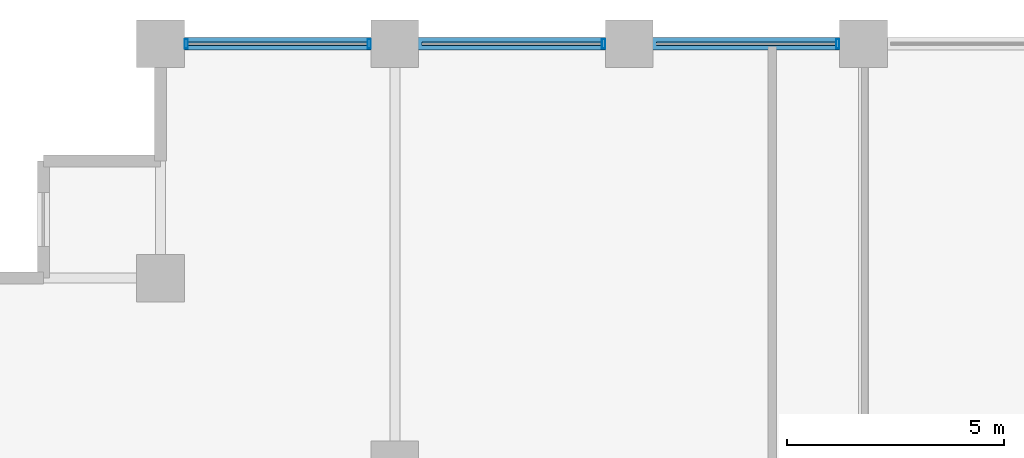
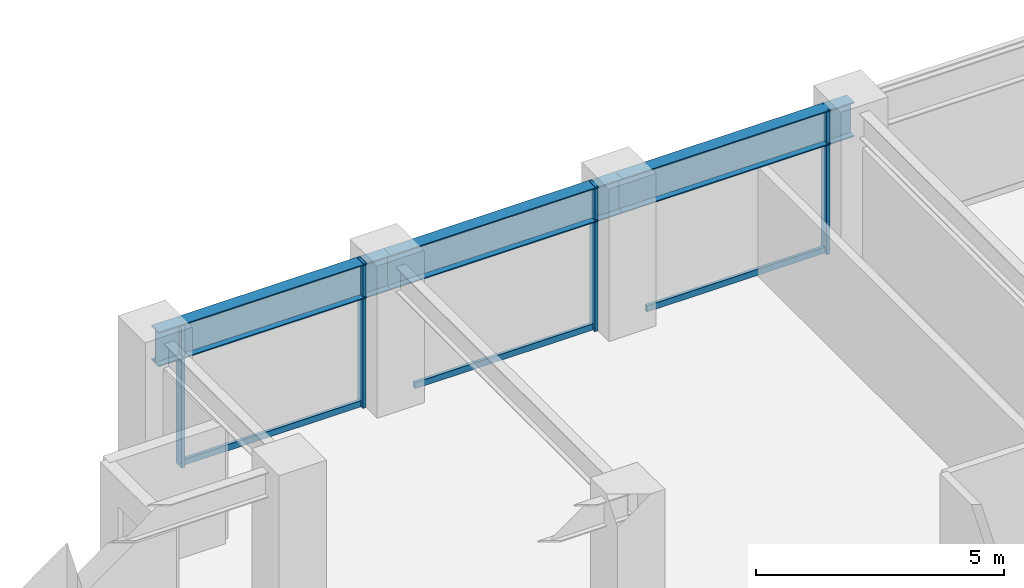
# One storey, part 12 of 25: 7 members, 3 beams, 1 element without a shape of its own.
"""IFC4 building model written with IfcOpenShell, lengths in metres."""

from ifc_helpers import new_model, si_unit, direction, frame, origin, origin_2d, place, context, subcontext, project, spatial, hollow_rectangle, i_section, extrude, material, layer, layer_set, material_profile, profile_set, type_object, element, aggregate, save


model = new_model("IFC4")

# Units and contexts
model_context = context("Model", 3, precision=1e-05, world=origin(), true_north=direction((0.0, 1.0)))
body_context = subcontext(model_context, "Body", "Model", "MODEL_VIEW")
ifc_project = project(units=[si_unit("LENGTHUNIT", "METRE"), si_unit("AREAUNIT", "SQUARE_METRE"), si_unit("VOLUMEUNIT", "CUBIC_METRE"), si_unit("PLANEANGLEUNIT", "RADIAN"), si_unit("MASSUNIT", "GRAM", prefix="KILO")], contexts=[model_context])

# Site, building, storey
site_placement = place(None, origin())
site = spatial("IfcSite", under=ifc_project, at=site_placement, CompositionType="ELEMENT")
building_placement = place(site_placement, origin())
building = spatial("IfcBuilding", under=site, at=building_placement, Name="Surkhivell Harbour Commons", CompositionType="ELEMENT")
storey_placement = place(building_placement, frame((0.0, 0.0, 109.5)))
storey = spatial("IfcBuildingStorey", under=building, at=storey_placement, Name="L28", CompositionType="ELEMENT", Elevation=109.5)

# Beams
ifc_material_1 = material(Name="Steel S460", Category="steel")
ifc_material_profile_1 = material_profile(ifc_material_1, i_section(OverallWidth=0.2939453125, OverallDepth=0.85107421875, WebThickness=0.01611328125, FlangeThickness=0.02685546875, at=origin_2d()), Name="UB838x292x226")
ifc_profile_set_1 = profile_set([ifc_material_profile_1], Name="Steel S460")
beam_type = type_object("IfcBeamType", Name="BM-SPN-838", PredefinedType="SPANDREL", material=ifc_profile_set_1)
beam_1_placement = place(storey_placement, frame((-27.0, 25.89990234375, 3.14453125), z_axis=(1.0, 0.0, 0.0), x_axis=(0.0, 1.0, 0.0)))
element("IfcBeam", 1, at=beam_1_placement, inside=storey, type_object=beam_type, Name="L28 Tube Spandrel (-27.0,25.9)", PredefinedType="SPANDREL", context=body_context, shape_type="SweptSolid", body=[
    extrude(i_section(OverallWidth=0.2939453125, OverallDepth=0.85107421875, WebThickness=0.01611328125, FlangeThickness=0.02685546875, at=origin_2d()), origin(), (0.0, 0.0, 1.0), 5.39990234375),
])
beam_2_placement = place(storey_placement, frame((-21.60009765625, 25.89990234375, 3.14453125), z_axis=(1.0, 0.0, 0.0), x_axis=(0.0, 1.0, 0.0)))
element("IfcBeam", 2, at=beam_2_placement, inside=storey, type_object=beam_type, Name="L28 Tube Spandrel (-21.6,25.9)", PredefinedType="SPANDREL", context=body_context, shape_type="SweptSolid", body=[
    extrude(i_section(OverallWidth=0.2939453125, OverallDepth=0.85107421875, WebThickness=0.01611328125, FlangeThickness=0.02685546875, at=origin_2d()), origin(), (0.0, 0.0, 1.0), 5.400146484375),
])
beam_3_placement = place(storey_placement, frame((-16.199951171875, 25.89990234375, 3.14453125), z_axis=(1.0, 0.0, 0.0), x_axis=(0.0, 1.0, 0.0)))
element("IfcBeam", 3, at=beam_3_placement, inside=storey, type_object=beam_type, Name="L28 Tube Spandrel (-16.2,25.9)", PredefinedType="SPANDREL", context=body_context, shape_type="SweptSolid", body=[
    extrude(i_section(OverallWidth=0.2939453125, OverallDepth=0.85107421875, WebThickness=0.01611328125, FlangeThickness=0.02685546875, at=origin_2d()), origin(), (0.0, 0.0, 1.0), 5.39990234375),
])

# Curtain wall, members
ifc_material_2 = material(Name="Anodised pale-metal aluminium and insulated glazing", Category="aluminium")
ifc_layer = layer(ifc_material_2, 0.205078125)
ifc_layer_set = layer_set([ifc_layer], Name="Anodised pale-metal aluminium and insulated glazing")
curtain_wall_type = type_object("IfcCurtainWallType", Name="CW-SYS-Z2", PredefinedType="NOTDEFINED", material=ifc_layer_set)
curtain_wall_placement = place(storey_placement, origin())
curtain_wall = element("IfcCurtainWall", 4, at=curtain_wall_placement, inside=storey, type_object=curtain_wall_type, Name="L28 Curtain Wall CW-L28-E07S2", PredefinedType="NOTDEFINED")
ifc_material_3 = material(Name="Anodised pale-metal aluminium alloy 6063-T6", Category="aluminium")
ifc_material_profile_2 = material_profile(ifc_material_3, hollow_rectangle(XDim=0.074951171875, YDim=0.219970703125, WallThickness=0.00390625, at=origin_2d()), Name="ALU-MULL-75x220")
ifc_profile_set_2 = profile_set([ifc_material_profile_2], Name="Anodised pale-metal aluminium alloy 6063-T6")
member_type_1 = type_object("IfcMemberType", Name="CWM-220", PredefinedType="MULLION", material=ifc_profile_set_2)
member_1_placement = place(storey_placement, frame((-11.389404296875, 25.89990234375, 0.0), z_axis=(0.0, 0.0, 1.0), x_axis=(-1.0, 0.0, 0.0)))
member_1 = element("IfcMember", 5, at=member_1_placement, type_object=member_type_1, Name="CW-Z2 mullion 2", PredefinedType="MULLION", context=body_context, shape_type="SweptSolid", body=[
    extrude(hollow_rectangle(XDim=0.074951171875, YDim=0.219970703125, WallThickness=0.00390625, at=origin_2d()), origin(), (0.0, 0.0, 1.0), 3.570068359375),
])
member_2_placement = place(storey_placement, frame((-16.78955078125, 25.89990234375, 0.0), z_axis=(0.0, 0.0, 1.0), x_axis=(-1.0, 0.0, 0.0)))
member_2 = element("IfcMember", 6, at=member_2_placement, type_object=member_type_1, Name="CW-Z2 mullion 3", PredefinedType="MULLION", context=body_context, shape_type="SweptSolid", body=[
    extrude(hollow_rectangle(XDim=0.074951171875, YDim=0.219970703125, WallThickness=0.00390625, at=origin_2d()), origin(), (0.0, 0.0, 1.0), 3.570068359375),
])
member_3_placement = place(storey_placement, frame((-22.189453125, 25.89990234375, 0.0), z_axis=(0.0, 0.0, 1.0), x_axis=(-1.0, 0.0, 0.0)))
member_3 = element("IfcMember", 7, at=member_3_placement, type_object=member_type_1, Name="CW-Z2 mullion 4", PredefinedType="MULLION", context=body_context, shape_type="SweptSolid", body=[
    extrude(hollow_rectangle(XDim=0.074951171875, YDim=0.219970703125, WallThickness=0.00390625, at=origin_2d()), origin(), (0.0, 0.0, 1.0), 3.570068359375),
])
member_4_placement = place(storey_placement, frame((-26.410400390625, 25.89990234375, 0.0), z_axis=(0.0, 0.0, 1.0), x_axis=(-1.0, 0.0, 0.0)))
member_4 = element("IfcMember", 8, at=member_4_placement, type_object=member_type_1, Name="CW-Z2 mullion 5", PredefinedType="MULLION", context=body_context, shape_type="SweptSolid", body=[
    extrude(hollow_rectangle(XDim=0.074951171875, YDim=0.219970703125, WallThickness=0.00390625, at=origin_2d()), origin(), (0.0, 0.0, 1.0), 3.570068359375),
])
ifc_material_profile_3 = material_profile(ifc_material_3, hollow_rectangle(XDim=0.074951171875, YDim=0.14990234375, WallThickness=0.00341796875, at=origin_2d()), Name="ALU-TRAN-75x150")
ifc_profile_set_3 = profile_set([ifc_material_profile_3], Name="Anodised pale-metal aluminium alloy 6063-T6")
member_type_2 = type_object("IfcMemberType", Name="CWT-150", PredefinedType="USERDEFINED", material=ifc_profile_set_3)
member_5_placement = place(storey_placement, frame((-11.427001953125, 25.89990234375, 0.074951171875), z_axis=(-1.0, 0.0, 0.0), x_axis=(0.0, -1.0, 0.0)))
member_5 = element("IfcMember", 9, at=member_5_placement, type_object=member_type_2, Name="CW-Z2 transom 2.1", ObjectType="TRANSOM", PredefinedType="USERDEFINED", context=body_context, shape_type="SweptSolid", body=[
    extrude(hollow_rectangle(XDim=0.074951171875, YDim=0.14990234375, WallThickness=0.00341796875, at=origin_2d()), origin(), (0.0, 0.0, 1.0), 4.14599609375),
])
member_6_placement = place(storey_placement, frame((-16.826904296875, 25.89990234375, 0.074951171875), z_axis=(-1.0, 0.0, 0.0), x_axis=(0.0, -1.0, 0.0)))
member_6 = element("IfcMember", 10, at=member_6_placement, type_object=member_type_2, Name="CW-Z2 transom 3.1", ObjectType="TRANSOM", PredefinedType="USERDEFINED", context=body_context, shape_type="SweptSolid", body=[
    extrude(hollow_rectangle(XDim=0.074951171875, YDim=0.14990234375, WallThickness=0.00341796875, at=origin_2d()), origin(), (0.0, 0.0, 1.0), 4.14599609375),
])
member_7_placement = place(storey_placement, frame((-22.22705078125, 25.89990234375, 0.074951171875), z_axis=(-1.0, 0.0, 0.0), x_axis=(0.0, -1.0, 0.0)))
member_7 = element("IfcMember", 11, at=member_7_placement, type_object=member_type_2, Name="CW-Z2 transom 4.1", ObjectType="TRANSOM", PredefinedType="USERDEFINED", context=body_context, shape_type="SweptSolid", body=[
    extrude(hollow_rectangle(XDim=0.074951171875, YDim=0.14990234375, WallThickness=0.00341796875, at=origin_2d()), origin(), (0.0, 0.0, 1.0), 4.14599609375),
])
aggregate(curtain_wall, [member_1, member_5, member_2, member_6, member_3, member_4, member_7])

save(model, "model.ifc")
